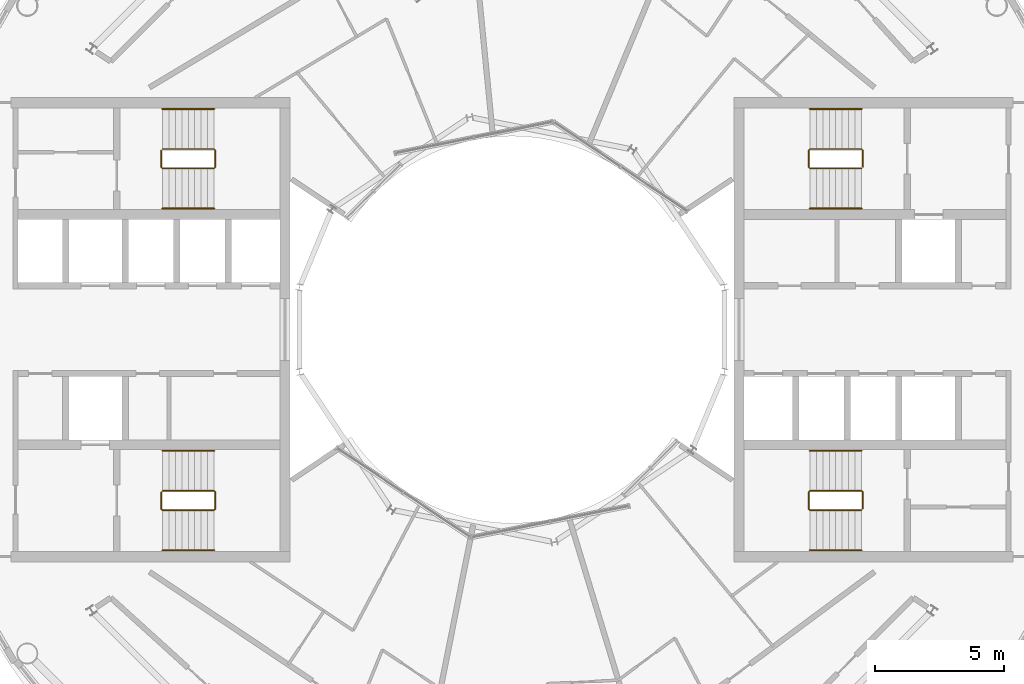
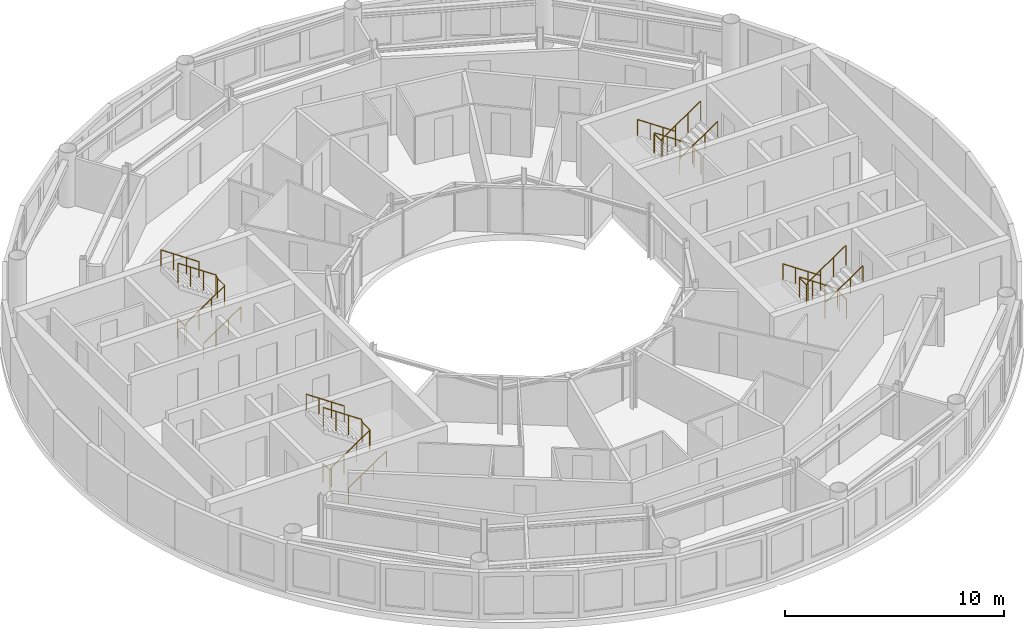
# One storey, part 17 of 17: 12 railings.
"""IFC4 building model written with IfcOpenShell, lengths in metres."""

import ifcopenshell
import ifcopenshell.guid

model = None  # the IFC model being written
_history = None  # IfcOwnerHistory: only IFC2X3 demands one
_inside = {}  # id of a spatial element -> (the spatial element, [elements in it])
_under = {}  # id of a project, library or spatial element -> (it, [spatial elements below it])
_declared = {}  # id of a project -> (the project, [libraries it declares])
_typed = {}  # id of a type object -> (the type object, [elements of that type])
_made_of = {}  # id of a material, layer set ... -> (it, [elements and type objects made of it])


def new_model(schema):
    """Start an empty IFC model of exactly this schema.

    Asked for "IFC4X3", IfcOpenShell would pick the latest addendum, in which some entities
    have other attributes; the version numbers below select the first issue.
    IFC2X3 requires an IfcOwnerHistory on every rooted entity: one is made here for all.
    """
    global model, _history
    if schema == "IFC4X3":
        model = ifcopenshell.file(schema_version=(4, 3, 0, 0))
    else:
        model = ifcopenshell.file(schema=schema)
    _inside.clear()
    _under.clear()
    _declared.clear()
    _typed.clear()
    _made_of.clear()
    _history = None
    if model.schema == "IFC2X3":
        org = make("IfcOrganization", Name="unknown")
        user = make(
            "IfcPersonAndOrganization",
            ThePerson=make("IfcPerson", FamilyName="unknown"),
            TheOrganization=org,
        )
        app = make(
            "IfcApplication",
            ApplicationDeveloper=org,
            Version="unknown",
            ApplicationFullName="unknown",
            ApplicationIdentifier="unknown",
        )
        _history = make(
            "IfcOwnerHistory",
            OwningUser=user,
            OwningApplication=app,
            ChangeAction="ADDED",
            CreationDate=0,
        )
    return model


def make(cls, **values):
    """One entity of the class cls with the attributes given. An attribute that is None is left unset."""
    return model.create_entity(
        cls, **{name: value for name, value in values.items() if value is not None}
    )


def rooted(cls, **values):
    """An entity with a GlobalId (a new one), such as an element, a storey or a relation."""
    return make(cls, GlobalId=ifcopenshell.guid.new(), OwnerHistory=_history, **values)


def si_unit(unit_type, name, prefix=None):
    """IfcSIUnit, for example si_unit("LENGTHUNIT", "METRE", prefix="MILLI")."""
    return make("IfcSIUnit", UnitType=unit_type, Prefix=prefix, Name=name)


def assignment(units):
    """IfcUnitAssignment: the units of a project."""
    return None if units is None else make("IfcUnitAssignment", Units=units)


def point(xyz):
    """IfcCartesianPoint."""
    return None if xyz is None else make("IfcCartesianPoint", Coordinates=xyz)


def direction(xyz):
    """IfcDirection."""
    return None if xyz is None else make("IfcDirection", DirectionRatios=xyz)


def frame(location, z_axis=None, x_axis=None):
    """IfcAxis2Placement3D, a coordinate frame: its origin and axes. An axis left out is left unset."""
    return make(
        "IfcAxis2Placement3D",
        Location=point(location),
        Axis=direction(z_axis),
        RefDirection=direction(x_axis),
    )


def frame_2d(location, x_axis=None):
    """IfcAxis2Placement2D, a coordinate frame in the plane: its origin and x axis."""
    return make(
        "IfcAxis2Placement2D", Location=point(location), RefDirection=direction(x_axis)
    )


def origin():
    """The frame at (0, 0, 0) with its axes left unset."""
    return frame((0.0, 0.0, 0.0))


def origin_2d():
    """The frame at (0, 0) in the plane with its x axis left unset."""
    return frame_2d((0.0, 0.0))


def place(relative_to, where):
    """IfcLocalPlacement: puts the frame where relative to a parent placement (None: the world)."""
    return make(
        "IfcLocalPlacement", PlacementRelTo=relative_to, RelativePlacement=where
    )


def context(
    kind, dimensions, precision=None, world=None, true_north=None, identifier=None
):
    """IfcGeometricRepresentationContext, for example the 3D "Model" context."""
    return make(
        "IfcGeometricRepresentationContext",
        ContextIdentifier=identifier,
        ContextType=kind,
        CoordinateSpaceDimension=dimensions,
        Precision=precision,
        WorldCoordinateSystem=world,
        TrueNorth=true_north,
    )


def subcontext(parent, identifier, kind, view, scale=None):
    """IfcGeometricRepresentationSubContext, for example "Body" below "Model"."""
    return make(
        "IfcGeometricRepresentationSubContext",
        ContextIdentifier=identifier,
        ContextType=kind,
        ParentContext=parent,
        TargetScale=scale,
        TargetView=view,
    )


def project(units=None, contexts=None):
    """IfcProject with its units and contexts."""
    return rooted(
        "IfcProject",
        Name="project",
        RepresentationContexts=contexts,
        UnitsInContext=assignment(units),
    )


def spatial(cls, under=None, at=None, **own):
    """A site, building, storey or space (cls), placed at a placement, below another one or the project."""
    s = rooted(cls, ObjectPlacement=at, **own)
    if under is not None:
        _under.setdefault(under.id(), (under, []))[1].append(s)
    return s


def profile(cls, at=None, kind="AREA", **sizes):
    """A parametric profile (cls). Its sizes go by their IFC names, for example OverallWidth=200.0."""
    return make(cls, ProfileType=kind, Position=at, **sizes)


def circle(**sizes):
    """IfcCircleProfileDef."""
    return profile("IfcCircleProfileDef", **sizes)


def extrude(swept, where, along, depth):
    """IfcExtrudedAreaSolid: the profile swept, set in the frame where, extruded along a direction by depth."""
    return make(
        "IfcExtrudedAreaSolid",
        SweptArea=swept,
        Position=where,
        ExtrudedDirection=direction(along),
        Depth=depth,
    )


def shape(context_of_items, identifier, shape_type, items):
    """IfcShapeRepresentation: the items that make up one representation, for example the "Body"."""
    return make(
        "IfcShapeRepresentation",
        ContextOfItems=context_of_items,
        RepresentationIdentifier=identifier,
        RepresentationType=shape_type,
        Items=items,
    )


def material(Name=None, Category=None):
    """IfcMaterial."""
    return make("IfcMaterial", Name=Name, Category=Category)


def made_of(thing, what):
    """Note that an element or type object is made of a material, layer set ...; save() writes the relation."""
    if what is not None:
        _made_of.setdefault(what.id(), (what, []))[1].append(thing)
    return thing


def type_object(cls, material=None, **own):
    """A type object (cls), such as IfcWallType, which elements share."""
    return made_of(rooted(cls, **own), material)


def element(
    cls,
    number,
    at=None,
    inside=None,
    cuts=None,
    type_object=None,
    material=None,
    context=None,
    identifier="Body",
    shape_type=None,
    held_by="IfcProductDefinitionShape",
    body=None,
    shapes=None,
    **own,
):
    """One element of the class cls, such as IfcWall. Its Tag is "e" and its number.

    at: its placement. inside: the storey or other place that contains it. cuts: it is an
    opening in that element (IfcRelVoidsElement). A single representation is given by context,
    identifier, shape_type and body (its items); several are given by shapes. held_by: the class
    of the entity that holds the representations. save() writes the other relations.
    """
    e = rooted(cls, Tag="e%d" % number, ObjectPlacement=at, **own)
    if body is not None:
        shapes = [shape(context, identifier, shape_type, body)]
    if shapes is not None:
        e.Representation = make(held_by, Representations=shapes)
    if inside is not None:
        _inside.setdefault(inside.id(), (inside, []))[1].append(e)
    if cuts is not None:
        rooted(
            "IfcRelVoidsElement", RelatingBuildingElement=cuts, RelatedOpeningElement=e
        )
    if type_object is not None:
        _typed.setdefault(type_object.id(), (type_object, []))[1].append(e)
    return made_of(e, material)


def aggregate(whole, parts):
    """IfcRelAggregates: a whole, such as a stair, and the parts it consists of."""
    return rooted("IfcRelAggregates", RelatingObject=whole, RelatedObjects=parts)


def save(model, path):
    """Write the relations noted so far, then the file.

    IfcRelAggregates (storeys below a building ...), IfcRelContainedInSpatialStructure (elements
    in a storey), IfcRelDefinesByType, IfcRelAssociatesMaterial and IfcRelDeclares: one each for
    every whole, place, type object, material and project.
    """
    for whole, parts in _under.values():
        aggregate(whole, parts)
    for where, things in _inside.values():
        rooted(
            "IfcRelContainedInSpatialStructure",
            RelatedElements=things,
            RelatingStructure=where,
        )
    for kind, things in _typed.values():
        rooted("IfcRelDefinesByType", RelatedObjects=things, RelatingType=kind)
    for what, things in _made_of.values():
        rooted("IfcRelAssociatesMaterial", RelatedObjects=things, RelatingMaterial=what)
    for by, libraries in _declared.values():
        rooted("IfcRelDeclares", RelatingContext=by, RelatedDefinitions=libraries)
    model.write(path)


model = new_model("IFC4")

# Units and contexts
model_context = context("Model", 3, precision=1e-05, world=origin(), true_north=direction((0.0, 1.0)))
body_context = subcontext(model_context, "Body", "Model", "MODEL_VIEW")
ifc_project = project(units=[si_unit("LENGTHUNIT", "METRE"), si_unit("AREAUNIT", "SQUARE_METRE"), si_unit("VOLUMEUNIT", "CUBIC_METRE"), si_unit("PLANEANGLEUNIT", "RADIAN"), si_unit("MASSUNIT", "GRAM", prefix="KILO")], contexts=[model_context])

# Site, building, storey
site_placement = place(None, origin())
site = spatial("IfcSite", under=ifc_project, at=site_placement, CompositionType="ELEMENT")
building_placement = place(site_placement, origin())
building = spatial("IfcBuilding", under=site, at=building_placement, Name="Maasbend Ring Residences", CompositionType="ELEMENT")
storey_placement = place(building_placement, frame((0.0, 0.0, 252.35009765625)))
storey = spatial("IfcBuildingStorey", under=building, at=storey_placement, Name="L73", CompositionType="ELEMENT", Elevation=252.35009765625)

# Railings
ifc_material_1 = material(Name="Stainless steel 316", Category="steel")
railing_type_1 = type_object("IfcRailingType", Name="STAIR GUARD 1100", PredefinedType="GUARDRAIL", material=ifc_material_1)
railing_1_placement = place(storey_placement, frame((13.60009765625, 6.300048828125, 0.0)))
element("IfcRailing", 1, at=railing_1_placement, inside=storey, type_object=railing_type_1, Name="L73 ST-E1 stair guard 1", PredefinedType="GUARDRAIL", context=body_context, shape_type="SweptSolid", body=[
    extrude(circle(Radius=0.02392578125, at=origin_2d()), frame((0.0, 0.0, 1.076171875), z_axis=(0.0, 1.0, 0.0), x_axis=(-1.0, 0.0, 0.0)), (0.0, 0.0, 1.0), 0.64990234375),
    extrude(circle(Radius=0.02392578125, at=origin_2d()), frame((0.0, 0.64990234375, 1.076171875), z_axis=(-0.272562526181, 0.272562526181, 0.92272386912), x_axis=(-0.707106781187, -0.707106781187, 0.0)), (0.0, 0.0, 1.0), 0.18359375),
    extrude(circle(Radius=0.02392578125, at=origin_2d()), frame((-0.050048828125, 0.699951171875, 1.24560546875), z_axis=(-0.827797584762, 0.0, 0.561026878735), x_axis=(0.0, -1.0, 0.0)), (0.0, 0.0, 1.0), 2.416015625),
    extrude(circle(Radius=0.02392578125, at=origin_2d()), frame((-2.050048828125, 0.699951171875, 2.60107421875), z_axis=(-0.707106781187, -0.707106781187, 0.0), x_axis=(0.707106781187, -0.707106781187, 0.0)), (0.0, 0.0, 1.0), 0.07080078125),
    extrude(circle(Radius=0.02392578125, at=origin_2d()), frame((-2.10009765625, 0.64990234375, 2.60107421875), z_axis=(0.0, -1.0, 0.0), x_axis=(1.0, 0.0, 0.0)), (0.0, 0.0, 1.0), 0.64990234375),
    extrude(circle(Radius=0.02392578125, at=origin_2d()), frame((-2.10009765625, 0.0, 2.60107421875), z_axis=(0.272562526181, -0.272562526181, 0.92272386912), x_axis=(0.707106781187, 0.707106781187, 0.0)), (0.0, 0.0, 1.0), 0.18359375),
    extrude(circle(Radius=0.02392578125, at=origin_2d()), frame((-2.050048828125, -0.050048828125, 2.7705078125), z_axis=(0.827797584762, 0.0, 0.561026878735), x_axis=(0.0, 1.0, 0.0)), (0.0, 0.0, 1.0), 2.416015625),
    extrude(circle(Radius=0.02099609375, at=origin_2d()), origin(), (0.0, 0.0, 1.0), 1.052001953125),
    extrude(circle(Radius=0.02099609375, at=origin_2d()), frame((0.0, 0.64990234375, 0.0)), (0.0, 0.0, 1.0), 1.052001953125),
    extrude(circle(Radius=0.02099609375, at=origin_2d()), frame((-0.050048828125, 0.699951171875, 0.16943359375)), (0.0, 0.0, 1.0), 1.052001953125),
    extrude(circle(Radius=0.02099609375, at=origin_2d()), frame((-0.716796875, 0.699951171875, 0.621337890625)), (0.0, 0.0, 1.0), 1.052001953125),
    extrude(circle(Radius=0.02099609375, at=origin_2d()), frame((-1.38330078125, 0.699951171875, 1.072998046875)), (0.0, 0.0, 1.0), 1.052001953125),
    extrude(circle(Radius=0.02099609375, at=origin_2d()), frame((-2.050048828125, 0.699951171875, 1.52490234375)), (0.0, 0.0, 1.0), 1.052001953125),
    extrude(circle(Radius=0.02099609375, at=origin_2d()), frame((-2.10009765625, 0.64990234375, 1.52490234375)), (0.0, 0.0, 1.0), 1.052001953125),
    extrude(circle(Radius=0.02099609375, at=origin_2d()), frame((-2.10009765625, 0.0, 1.52490234375)), (0.0, 0.0, 1.0), 1.052001953125),
    extrude(circle(Radius=0.02099609375, at=origin_2d()), frame((-2.050048828125, -0.050048828125, 1.6943359375)), (0.0, 0.0, 1.0), 1.052001953125),
    extrude(circle(Radius=0.02099609375, at=origin_2d()), frame((-1.38330078125, -0.050048828125, 2.146240234375)), (0.0, 0.0, 1.0), 1.052001953125),
    extrude(circle(Radius=0.02099609375, at=origin_2d()), frame((-0.716796875, -0.050048828125, 2.597900390625)), (0.0, 0.0, 1.0), 1.052001953125),
    extrude(circle(Radius=0.02099609375, at=origin_2d()), frame((-0.050048828125, -0.050048828125, 3.0498046875)), (0.0, 0.0, 1.0), 1.052001953125),
])
railing_2_placement = place(storey_placement, frame((13.60009765625, -6.949951171875, 0.0)))
element("IfcRailing", 2, at=railing_2_placement, inside=storey, type_object=railing_type_1, Name="L73 ST-E2 stair guard 1", PredefinedType="GUARDRAIL", context=body_context, shape_type="SweptSolid", body=[
    extrude(circle(Radius=0.02392578125, at=origin_2d()), frame((0.0, 0.0, 1.076171875), z_axis=(0.0, 1.0, 0.0), x_axis=(-1.0, 0.0, 0.0)), (0.0, 0.0, 1.0), 0.64990234375),
    extrude(circle(Radius=0.02392578125, at=origin_2d()), frame((0.0, 0.64990234375, 1.076171875), z_axis=(-0.272562526181, 0.272562526181, 0.92272386912), x_axis=(-0.707106781187, -0.707106781187, 0.0)), (0.0, 0.0, 1.0), 0.18359375),
    extrude(circle(Radius=0.02392578125, at=origin_2d()), frame((-0.050048828125, 0.699951171875, 1.24560546875), z_axis=(-0.827797584762, 0.0, 0.561026878735), x_axis=(0.0, -1.0, 0.0)), (0.0, 0.0, 1.0), 2.416015625),
    extrude(circle(Radius=0.02392578125, at=origin_2d()), frame((-2.050048828125, 0.699951171875, 2.60107421875), z_axis=(-0.707106781187, -0.707106781187, 0.0), x_axis=(0.707106781187, -0.707106781187, 0.0)), (0.0, 0.0, 1.0), 0.07080078125),
    extrude(circle(Radius=0.02392578125, at=origin_2d()), frame((-2.10009765625, 0.64990234375, 2.60107421875), z_axis=(0.0, -1.0, 0.0), x_axis=(1.0, 0.0, 0.0)), (0.0, 0.0, 1.0), 0.64990234375),
    extrude(circle(Radius=0.02392578125, at=origin_2d()), frame((-2.10009765625, 0.0, 2.60107421875), z_axis=(0.272562526181, -0.272562526181, 0.92272386912), x_axis=(0.707106781187, 0.707106781187, 0.0)), (0.0, 0.0, 1.0), 0.18359375),
    extrude(circle(Radius=0.02392578125, at=origin_2d()), frame((-2.050048828125, -0.050048828125, 2.7705078125), z_axis=(0.827797584762, 0.0, 0.561026878735), x_axis=(0.0, 1.0, 0.0)), (0.0, 0.0, 1.0), 2.416015625),
    extrude(circle(Radius=0.02099609375, at=origin_2d()), origin(), (0.0, 0.0, 1.0), 1.052001953125),
    extrude(circle(Radius=0.02099609375, at=origin_2d()), frame((0.0, 0.64990234375, 0.0)), (0.0, 0.0, 1.0), 1.052001953125),
    extrude(circle(Radius=0.02099609375, at=origin_2d()), frame((-0.050048828125, 0.699951171875, 0.16943359375)), (0.0, 0.0, 1.0), 1.052001953125),
    extrude(circle(Radius=0.02099609375, at=origin_2d()), frame((-0.716796875, 0.699951171875, 0.621337890625)), (0.0, 0.0, 1.0), 1.052001953125),
    extrude(circle(Radius=0.02099609375, at=origin_2d()), frame((-1.38330078125, 0.699951171875, 1.072998046875)), (0.0, 0.0, 1.0), 1.052001953125),
    extrude(circle(Radius=0.02099609375, at=origin_2d()), frame((-2.050048828125, 0.699951171875, 1.52490234375)), (0.0, 0.0, 1.0), 1.052001953125),
    extrude(circle(Radius=0.02099609375, at=origin_2d()), frame((-2.10009765625, 0.64990234375, 1.52490234375)), (0.0, 0.0, 1.0), 1.052001953125),
    extrude(circle(Radius=0.02099609375, at=origin_2d()), frame((-2.10009765625, 0.0, 1.52490234375)), (0.0, 0.0, 1.0), 1.052001953125),
    extrude(circle(Radius=0.02099609375, at=origin_2d()), frame((-2.050048828125, -0.050048828125, 1.6943359375)), (0.0, 0.0, 1.0), 1.052001953125),
    extrude(circle(Radius=0.02099609375, at=origin_2d()), frame((-1.38330078125, -0.050048828125, 2.146240234375)), (0.0, 0.0, 1.0), 1.052001953125),
    extrude(circle(Radius=0.02099609375, at=origin_2d()), frame((-0.716796875, -0.050048828125, 2.597900390625)), (0.0, 0.0, 1.0), 1.052001953125),
    extrude(circle(Radius=0.02099609375, at=origin_2d()), frame((-0.050048828125, -0.050048828125, 3.0498046875)), (0.0, 0.0, 1.0), 1.052001953125),
])
railing_3_placement = place(storey_placement, frame((-13.60009765625, -6.300048828125, 0.0)))
element("IfcRailing", 3, at=railing_3_placement, inside=storey, type_object=railing_type_1, Name="L73 ST-W1 stair guard 1", PredefinedType="GUARDRAIL", context=body_context, shape_type="SweptSolid", body=[
    extrude(circle(Radius=0.02392578125, at=origin_2d()), frame((0.0, 0.0, 1.076171875), z_axis=(0.0, -1.0, 0.0), x_axis=(1.0, 0.0, 0.0)), (0.0, 0.0, 1.0), 0.64990234375),
    extrude(circle(Radius=0.02392578125, at=origin_2d()), frame((0.0, -0.64990234375, 1.076171875), z_axis=(0.272562526181, -0.272562526181, 0.92272386912), x_axis=(0.707106781187, 0.707106781187, 0.0)), (0.0, 0.0, 1.0), 0.18359375),
    extrude(circle(Radius=0.02392578125, at=origin_2d()), frame((0.050048828125, -0.699951171875, 1.24560546875), z_axis=(0.827797584762, 0.0, 0.561026878735), x_axis=(0.0, 1.0, 0.0)), (0.0, 0.0, 1.0), 2.416015625),
    extrude(circle(Radius=0.02392578125, at=origin_2d()), frame((2.050048828125, -0.699951171875, 2.60107421875), z_axis=(0.707106781187, 0.707106781187, 0.0), x_axis=(-0.707106781187, 0.707106781187, 0.0)), (0.0, 0.0, 1.0), 0.07080078125),
    extrude(circle(Radius=0.02392578125, at=origin_2d()), frame((2.10009765625, -0.64990234375, 2.60107421875), z_axis=(0.0, 1.0, 0.0), x_axis=(-1.0, 0.0, 0.0)), (0.0, 0.0, 1.0), 0.64990234375),
    extrude(circle(Radius=0.02392578125, at=origin_2d()), frame((2.10009765625, 0.0, 2.60107421875), z_axis=(-0.272562526181, 0.272562526181, 0.92272386912), x_axis=(-0.707106781187, -0.707106781187, 0.0)), (0.0, 0.0, 1.0), 0.18359375),
    extrude(circle(Radius=0.02392578125, at=origin_2d()), frame((2.050048828125, 0.050048828125, 2.7705078125), z_axis=(-0.827797584762, 0.0, 0.561026878735), x_axis=(0.0, -1.0, 0.0)), (0.0, 0.0, 1.0), 2.416015625),
    extrude(circle(Radius=0.02099609375, at=origin_2d()), origin(), (0.0, 0.0, 1.0), 1.052001953125),
    extrude(circle(Radius=0.02099609375, at=origin_2d()), frame((0.0, -0.64990234375, 0.0)), (0.0, 0.0, 1.0), 1.052001953125),
    extrude(circle(Radius=0.02099609375, at=origin_2d()), frame((0.050048828125, -0.699951171875, 0.16943359375)), (0.0, 0.0, 1.0), 1.052001953125),
    extrude(circle(Radius=0.02099609375, at=origin_2d()), frame((0.716796875, -0.699951171875, 0.621337890625)), (0.0, 0.0, 1.0), 1.052001953125),
    extrude(circle(Radius=0.02099609375, at=origin_2d()), frame((1.38330078125, -0.699951171875, 1.072998046875)), (0.0, 0.0, 1.0), 1.052001953125),
    extrude(circle(Radius=0.02099609375, at=origin_2d()), frame((2.050048828125, -0.699951171875, 1.52490234375)), (0.0, 0.0, 1.0), 1.052001953125),
    extrude(circle(Radius=0.02099609375, at=origin_2d()), frame((2.10009765625, -0.64990234375, 1.52490234375)), (0.0, 0.0, 1.0), 1.052001953125),
    extrude(circle(Radius=0.02099609375, at=origin_2d()), frame((2.10009765625, 0.0, 1.52490234375)), (0.0, 0.0, 1.0), 1.052001953125),
    extrude(circle(Radius=0.02099609375, at=origin_2d()), frame((2.050048828125, 0.050048828125, 1.6943359375)), (0.0, 0.0, 1.0), 1.052001953125),
    extrude(circle(Radius=0.02099609375, at=origin_2d()), frame((1.38330078125, 0.050048828125, 2.146240234375)), (0.0, 0.0, 1.0), 1.052001953125),
    extrude(circle(Radius=0.02099609375, at=origin_2d()), frame((0.716796875, 0.050048828125, 2.597900390625)), (0.0, 0.0, 1.0), 1.052001953125),
    extrude(circle(Radius=0.02099609375, at=origin_2d()), frame((0.050048828125, 0.050048828125, 3.0498046875)), (0.0, 0.0, 1.0), 1.052001953125),
])
railing_4_placement = place(storey_placement, frame((-13.60009765625, 6.949951171875, 0.0)))
element("IfcRailing", 4, at=railing_4_placement, inside=storey, type_object=railing_type_1, Name="L73 ST-W2 stair guard 1", PredefinedType="GUARDRAIL", context=body_context, shape_type="SweptSolid", body=[
    extrude(circle(Radius=0.02392578125, at=origin_2d()), frame((0.0, 0.0, 1.076171875), z_axis=(0.0, -1.0, 0.0), x_axis=(1.0, 0.0, 0.0)), (0.0, 0.0, 1.0), 0.64990234375),
    extrude(circle(Radius=0.02392578125, at=origin_2d()), frame((0.0, -0.64990234375, 1.076171875), z_axis=(0.272562526181, -0.272562526181, 0.92272386912), x_axis=(0.707106781187, 0.707106781187, 0.0)), (0.0, 0.0, 1.0), 0.18359375),
    extrude(circle(Radius=0.02392578125, at=origin_2d()), frame((0.050048828125, -0.699951171875, 1.24560546875), z_axis=(0.827797584762, 0.0, 0.561026878735), x_axis=(0.0, 1.0, 0.0)), (0.0, 0.0, 1.0), 2.416015625),
    extrude(circle(Radius=0.02392578125, at=origin_2d()), frame((2.050048828125, -0.699951171875, 2.60107421875), z_axis=(0.707106781187, 0.707106781187, 0.0), x_axis=(-0.707106781187, 0.707106781187, 0.0)), (0.0, 0.0, 1.0), 0.07080078125),
    extrude(circle(Radius=0.02392578125, at=origin_2d()), frame((2.10009765625, -0.64990234375, 2.60107421875), z_axis=(0.0, 1.0, 0.0), x_axis=(-1.0, 0.0, 0.0)), (0.0, 0.0, 1.0), 0.64990234375),
    extrude(circle(Radius=0.02392578125, at=origin_2d()), frame((2.10009765625, 0.0, 2.60107421875), z_axis=(-0.272562526181, 0.272562526181, 0.92272386912), x_axis=(-0.707106781187, -0.707106781187, 0.0)), (0.0, 0.0, 1.0), 0.18359375),
    extrude(circle(Radius=0.02392578125, at=origin_2d()), frame((2.050048828125, 0.050048828125, 2.7705078125), z_axis=(-0.827797584762, 0.0, 0.561026878735), x_axis=(0.0, -1.0, 0.0)), (0.0, 0.0, 1.0), 2.416015625),
    extrude(circle(Radius=0.02099609375, at=origin_2d()), origin(), (0.0, 0.0, 1.0), 1.052001953125),
    extrude(circle(Radius=0.02099609375, at=origin_2d()), frame((0.0, -0.64990234375, 0.0)), (0.0, 0.0, 1.0), 1.052001953125),
    extrude(circle(Radius=0.02099609375, at=origin_2d()), frame((0.050048828125, -0.699951171875, 0.16943359375)), (0.0, 0.0, 1.0), 1.052001953125),
    extrude(circle(Radius=0.02099609375, at=origin_2d()), frame((0.716796875, -0.699951171875, 0.621337890625)), (0.0, 0.0, 1.0), 1.052001953125),
    extrude(circle(Radius=0.02099609375, at=origin_2d()), frame((1.38330078125, -0.699951171875, 1.072998046875)), (0.0, 0.0, 1.0), 1.052001953125),
    extrude(circle(Radius=0.02099609375, at=origin_2d()), frame((2.050048828125, -0.699951171875, 1.52490234375)), (0.0, 0.0, 1.0), 1.052001953125),
    extrude(circle(Radius=0.02099609375, at=origin_2d()), frame((2.10009765625, -0.64990234375, 1.52490234375)), (0.0, 0.0, 1.0), 1.052001953125),
    extrude(circle(Radius=0.02099609375, at=origin_2d()), frame((2.10009765625, 0.0, 1.52490234375)), (0.0, 0.0, 1.0), 1.052001953125),
    extrude(circle(Radius=0.02099609375, at=origin_2d()), frame((2.050048828125, 0.050048828125, 1.6943359375)), (0.0, 0.0, 1.0), 1.052001953125),
    extrude(circle(Radius=0.02099609375, at=origin_2d()), frame((1.38330078125, 0.050048828125, 2.146240234375)), (0.0, 0.0, 1.0), 1.052001953125),
    extrude(circle(Radius=0.02099609375, at=origin_2d()), frame((0.716796875, 0.050048828125, 2.597900390625)), (0.0, 0.0, 1.0), 1.052001953125),
    extrude(circle(Radius=0.02099609375, at=origin_2d()), frame((0.050048828125, 0.050048828125, 3.0498046875)), (0.0, 0.0, 1.0), 1.052001953125),
])
ifc_material_2 = material(Name="Stainless steel 316", Category="steel")
railing_type_2 = type_object("IfcRailingType", Name="STAIR HANDRAIL 900", PredefinedType="HANDRAIL", material=ifc_material_2)
railing_5_placement = place(storey_placement, frame((13.550048828125, 8.550048828125, 0.16943359375)))
element("IfcRailing", 5, at=railing_5_placement, inside=storey, type_object=railing_type_2, Name="L73 ST-E1 stair handrail 1", PredefinedType="HANDRAIL", context=body_context, shape_type="SweptSolid", body=[
    extrude(circle(Radius=0.02392578125, at=origin_2d()), frame((0.0, 0.0, 0.8759765625), z_axis=(-0.827797584762, 0.0, 0.561026878735), x_axis=(0.0, -1.0, 0.0)), (0.0, 0.0, 1.0), 2.416015625),
    extrude(circle(Radius=0.02099609375, at=origin_2d()), origin(), (0.0, 0.0, 1.0), 0.851806640625),
    extrude(circle(Radius=0.02099609375, at=origin_2d()), frame((-0.666748046875, 0.0, 0.451904296875)), (0.0, 0.0, 1.0), 0.851806640625),
    extrude(circle(Radius=0.02099609375, at=origin_2d()), frame((-1.333251953125, 0.0, 0.903564453125)), (0.0, 0.0, 1.0), 0.851806640625),
    extrude(circle(Radius=0.02099609375, at=origin_2d()), frame((-2.0, 0.0, 1.35546875)), (0.0, 0.0, 1.0), 0.851806640625),
])
railing_6_placement = place(storey_placement, frame((11.550048828125, 4.699951171875, 1.6943359375)))
element("IfcRailing", 6, at=railing_6_placement, inside=storey, type_object=railing_type_2, Name="L73 ST-E1 stair handrail 2", PredefinedType="HANDRAIL", context=body_context, shape_type="SweptSolid", body=[
    extrude(circle(Radius=0.02392578125, at=origin_2d()), frame((0.0, 0.0, 0.8759765625), z_axis=(0.827797584762, 0.0, 0.561026878735), x_axis=(0.0, 1.0, 0.0)), (0.0, 0.0, 1.0), 2.416015625),
    extrude(circle(Radius=0.02099609375, at=origin_2d()), origin(), (0.0, 0.0, 1.0), 0.851806640625),
    extrude(circle(Radius=0.02099609375, at=origin_2d()), frame((0.666748046875, 0.0, 0.451904296875)), (0.0, 0.0, 1.0), 0.851806640625),
    extrude(circle(Radius=0.02099609375, at=origin_2d()), frame((1.333251953125, 0.0, 0.903564453125)), (0.0, 0.0, 1.0), 0.851806640625),
    extrude(circle(Radius=0.02099609375, at=origin_2d()), frame((2.0, 0.0, 1.35546875)), (0.0, 0.0, 1.0), 0.851806640625),
])
railing_7_placement = place(storey_placement, frame((13.550048828125, -4.699951171875, 0.16943359375)))
element("IfcRailing", 7, at=railing_7_placement, inside=storey, type_object=railing_type_2, Name="L73 ST-E2 stair handrail 1", PredefinedType="HANDRAIL", context=body_context, shape_type="SweptSolid", body=[
    extrude(circle(Radius=0.02392578125, at=origin_2d()), frame((0.0, 0.0, 0.8759765625), z_axis=(-0.827797584762, 0.0, 0.561026878735), x_axis=(0.0, -1.0, 0.0)), (0.0, 0.0, 1.0), 2.416015625),
    extrude(circle(Radius=0.02099609375, at=origin_2d()), origin(), (0.0, 0.0, 1.0), 0.851806640625),
    extrude(circle(Radius=0.02099609375, at=origin_2d()), frame((-0.666748046875, 0.0, 0.451904296875)), (0.0, 0.0, 1.0), 0.851806640625),
    extrude(circle(Radius=0.02099609375, at=origin_2d()), frame((-1.333251953125, 0.0, 0.903564453125)), (0.0, 0.0, 1.0), 0.851806640625),
    extrude(circle(Radius=0.02099609375, at=origin_2d()), frame((-2.0, 0.0, 1.35546875)), (0.0, 0.0, 1.0), 0.851806640625),
])
for number, where, name in (
    (8, (11.550048828125, -8.550048828125, 1.6943359375), "L73 ST-E2 stair handrail 2"),
    (9, (-13.550048828125, -8.550048828125, 0.16943359375), "L73 ST-W1 stair handrail 1"),
):
    element("IfcRailing", number, at=place(storey_placement, frame(where)), inside=storey, type_object=railing_type_2, Name=name, PredefinedType="HANDRAIL", context=body_context, shape_type="SweptSolid", body=[
        extrude(circle(Radius=0.02392578125, at=origin_2d()), frame((0.0, 0.0, 0.8759765625), z_axis=(0.827797584762, 0.0, 0.561026878735), x_axis=(0.0, 1.0, 0.0)), (0.0, 0.0, 1.0), 2.416015625),
        extrude(circle(Radius=0.02099609375, at=origin_2d()), origin(), (0.0, 0.0, 1.0), 0.851806640625),
        extrude(circle(Radius=0.02099609375, at=origin_2d()), frame((0.666748046875, 0.0, 0.451904296875)), (0.0, 0.0, 1.0), 0.851806640625),
        extrude(circle(Radius=0.02099609375, at=origin_2d()), frame((1.333251953125, 0.0, 0.903564453125)), (0.0, 0.0, 1.0), 0.851806640625),
        extrude(circle(Radius=0.02099609375, at=origin_2d()), frame((2.0, 0.0, 1.35546875)), (0.0, 0.0, 1.0), 0.851806640625),
    ])
railing_8_placement = place(storey_placement, frame((-11.550048828125, -4.699951171875, 1.6943359375)))
element("IfcRailing", 10, at=railing_8_placement, inside=storey, type_object=railing_type_2, Name="L73 ST-W1 stair handrail 2", PredefinedType="HANDRAIL", context=body_context, shape_type="SweptSolid", body=[
    extrude(circle(Radius=0.02392578125, at=origin_2d()), frame((0.0, 0.0, 0.8759765625), z_axis=(-0.827797584762, 0.0, 0.561026878735), x_axis=(0.0, -1.0, 0.0)), (0.0, 0.0, 1.0), 2.416015625),
    extrude(circle(Radius=0.02099609375, at=origin_2d()), origin(), (0.0, 0.0, 1.0), 0.851806640625),
    extrude(circle(Radius=0.02099609375, at=origin_2d()), frame((-0.666748046875, 0.0, 0.451904296875)), (0.0, 0.0, 1.0), 0.851806640625),
    extrude(circle(Radius=0.02099609375, at=origin_2d()), frame((-1.333251953125, 0.0, 0.903564453125)), (0.0, 0.0, 1.0), 0.851806640625),
    extrude(circle(Radius=0.02099609375, at=origin_2d()), frame((-2.0, 0.0, 1.35546875)), (0.0, 0.0, 1.0), 0.851806640625),
])
railing_9_placement = place(storey_placement, frame((-13.550048828125, 4.699951171875, 0.16943359375)))
element("IfcRailing", 11, at=railing_9_placement, inside=storey, type_object=railing_type_2, Name="L73 ST-W2 stair handrail 1", PredefinedType="HANDRAIL", context=body_context, shape_type="SweptSolid", body=[
    extrude(circle(Radius=0.02392578125, at=origin_2d()), frame((0.0, 0.0, 0.8759765625), z_axis=(0.827797584762, 0.0, 0.561026878735), x_axis=(0.0, 1.0, 0.0)), (0.0, 0.0, 1.0), 2.416015625),
    extrude(circle(Radius=0.02099609375, at=origin_2d()), origin(), (0.0, 0.0, 1.0), 0.851806640625),
    extrude(circle(Radius=0.02099609375, at=origin_2d()), frame((0.666748046875, 0.0, 0.451904296875)), (0.0, 0.0, 1.0), 0.851806640625),
    extrude(circle(Radius=0.02099609375, at=origin_2d()), frame((1.333251953125, 0.0, 0.903564453125)), (0.0, 0.0, 1.0), 0.851806640625),
    extrude(circle(Radius=0.02099609375, at=origin_2d()), frame((2.0, 0.0, 1.35546875)), (0.0, 0.0, 1.0), 0.851806640625),
])
railing_10_placement = place(storey_placement, frame((-11.550048828125, 8.550048828125, 1.6943359375)))
element("IfcRailing", 12, at=railing_10_placement, inside=storey, type_object=railing_type_2, Name="L73 ST-W2 stair handrail 2", PredefinedType="HANDRAIL", context=body_context, shape_type="SweptSolid", body=[
    extrude(circle(Radius=0.02392578125, at=origin_2d()), frame((0.0, 0.0, 0.8759765625), z_axis=(-0.827797584762, 0.0, 0.561026878735), x_axis=(0.0, -1.0, 0.0)), (0.0, 0.0, 1.0), 2.416015625),
    extrude(circle(Radius=0.02099609375, at=origin_2d()), origin(), (0.0, 0.0, 1.0), 0.851806640625),
    extrude(circle(Radius=0.02099609375, at=origin_2d()), frame((-0.666748046875, 0.0, 0.451904296875)), (0.0, 0.0, 1.0), 0.851806640625),
    extrude(circle(Radius=0.02099609375, at=origin_2d()), frame((-1.333251953125, 0.0, 0.903564453125)), (0.0, 0.0, 1.0), 0.851806640625),
    extrude(circle(Radius=0.02099609375, at=origin_2d()), frame((-2.0, 0.0, 1.35546875)), (0.0, 0.0, 1.0), 0.851806640625),
])

save(model, "model.ifc")
